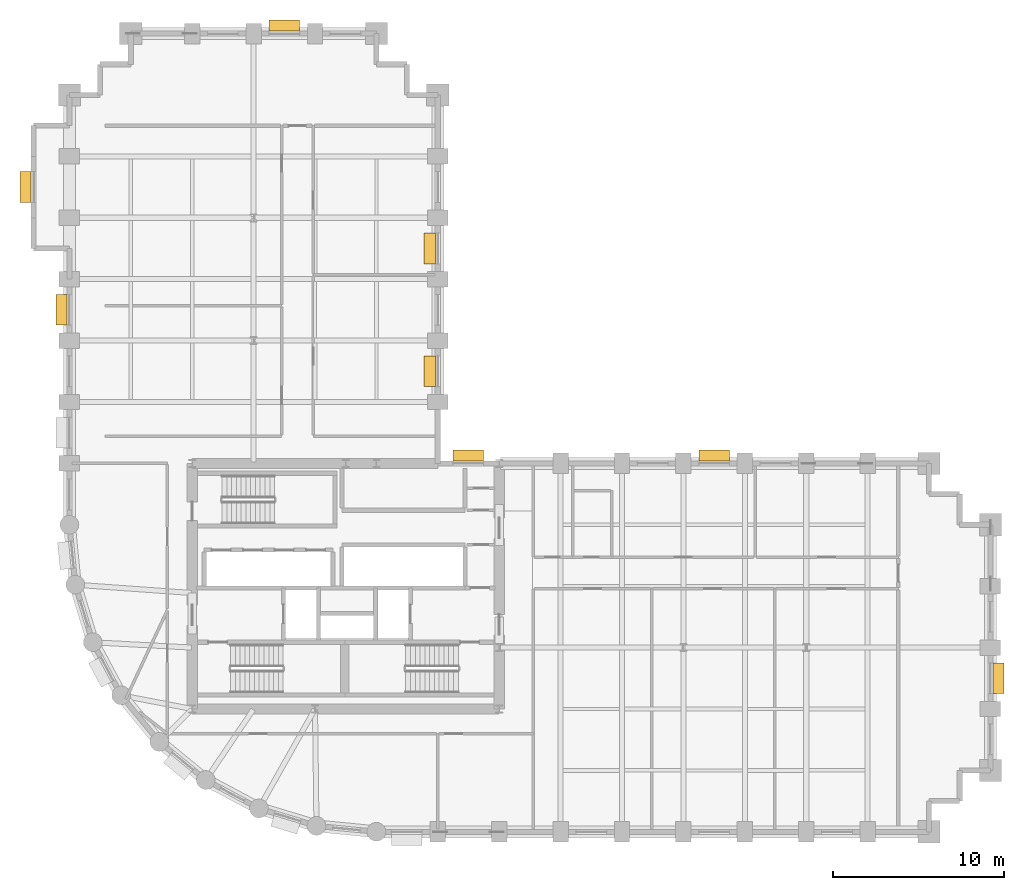
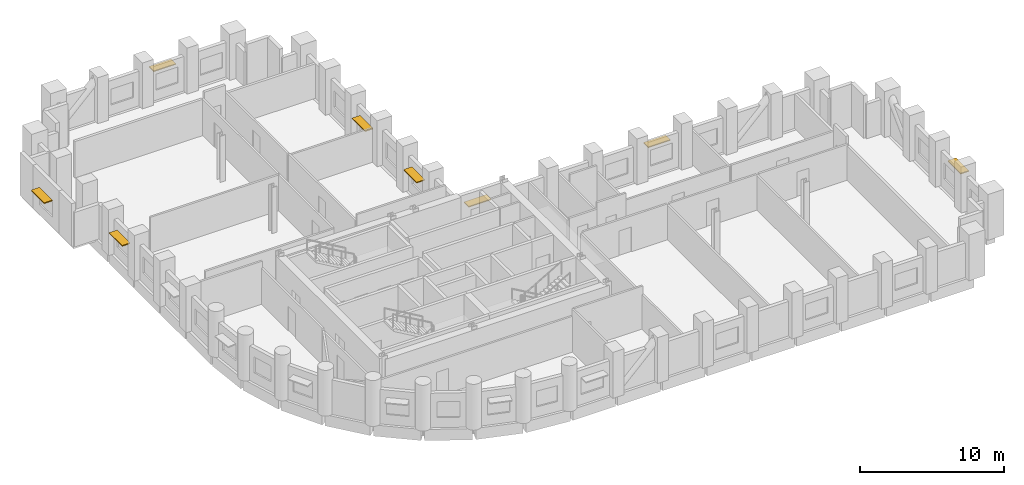
# One storey, part 11 of 11: 8 shading devices.
"""IFC4 building model written with IfcOpenShell, lengths in metres."""

from ifc_helpers import new_model, si_unit, direction, frame, origin, origin_2d, place, context, subcontext, project, spatial, rectangle, extrude, material, layer, layer_set, type_object, element, save


model = new_model("IFC4")

# Units and contexts
model_context = context("Model", 3, precision=1e-05, world=origin(), true_north=direction((0.0, 1.0)))
body_context = subcontext(model_context, "Body", "Model", "MODEL_VIEW")
ifc_project = project(units=[si_unit("LENGTHUNIT", "METRE"), si_unit("AREAUNIT", "SQUARE_METRE"), si_unit("VOLUMEUNIT", "CUBIC_METRE"), si_unit("PLANEANGLEUNIT", "RADIAN"), si_unit("MASSUNIT", "GRAM", prefix="KILO")], contexts=[model_context])

# Site, building, storey
site_placement = place(None, origin())
site = spatial("IfcSite", under=ifc_project, at=site_placement, CompositionType="ELEMENT")
building_placement = place(site_placement, origin())
building = spatial("IfcBuilding", under=site, at=building_placement, Name="Solnavia Interchange Tower", CompositionType="ELEMENT")
storey_placement = place(building_placement, frame((0.0, 0.0, 55.199951171875)))
storey = spatial("IfcBuildingStorey", under=building, at=storey_placement, Name="L13", CompositionType="ELEMENT", Elevation=55.199951171875)

# Shading devices
ifc_material = material(Name="Anodised Aluminium Sunshade", Category="aluminium")
ifc_layer = layer(ifc_material, 0.080078125)
ifc_layer_set = layer_set([ifc_layer], Name="Anodised Aluminium Sunshade")
shading_device_type = type_object("IfcShadingDeviceType", Name="Sunshade-Band-650", PredefinedType="SHUTTER", material=ifc_layer_set)
for number, where, z_axis, x_axis, name in (
    (1, (61.669921875, 12.60009765625, 2.219970703125), (0.0, 0.0, 1.0), (0.0, -1.0, 0.0), "SHD-L13-15 Horizontal sunshade band"),
    (2, (45.0, 25.669921875, 2.219970703125), (0.0, 0.0, 1.0), (1.0, 0.0, 0.0), "SHD-L13-25 Horizontal sunshade band"),
    (3, (30.577880859375, 25.669921875, 2.219970703125), (0.0, 0.0, 1.0), (1.0, 0.0, 0.0), "SHD-L13-29 Horizontal sunshade band"),
    (4, (28.330078125, 30.60009765625, 2.219970703125), (0.0, 0.0, 1.0), (0.0, 1.0, 0.0), "SHD-L13-31 Horizontal sunshade band"),
    (5, (28.330078125, 37.800048828125, 2.219970703125), (0.0, 0.0, 1.0), (0.0, 1.0, 0.0), "SHD-L13-33 Horizontal sunshade band"),
    (6, (19.800048828125, 50.8701171875, 2.219970703125), (0.0, 0.0, 1.0), (1.0, 0.0, 0.0), "SHD-L13-41 Horizontal sunshade band"),
    (7, (4.6298828125, 41.39990234375, 2.219970703125), (0.0, 0.0, 1.0), (0.0, 1.0, 0.0), "SHD-L13-51 Horizontal sunshade band"),
    (8, (6.72998046875, 34.199951171875, 2.219970703125), (0.0, 0.0, 1.0), (0.0, 1.0, 0.0), "SHD-L13-55 Horizontal sunshade band"),
):
    element("IfcShadingDevice", number, at=place(storey_placement, frame(where, z_axis=z_axis, x_axis=x_axis)), inside=storey, type_object=shading_device_type, Name=name, PredefinedType="SHUTTER", context=body_context, shape_type="SweptSolid", body=[
        extrude(rectangle(XDim=1.800048828125, YDim=0.64990234375, at=origin_2d()), origin(), (0.0, 0.0, 1.0), 0.080078125),
    ])

save(model, "model.ifc")
